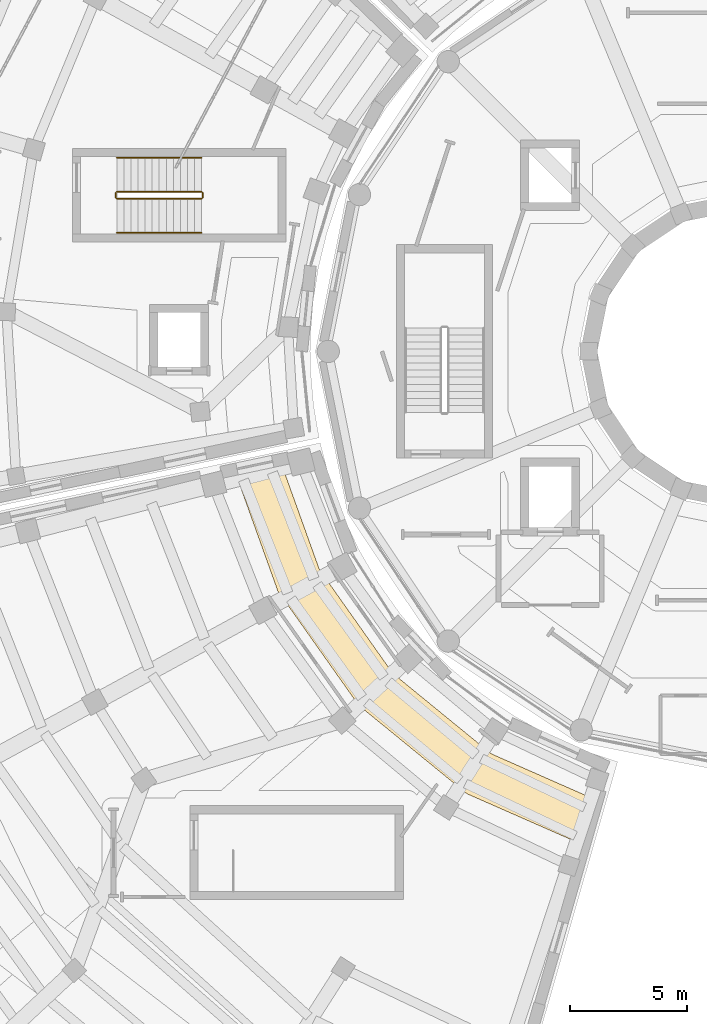
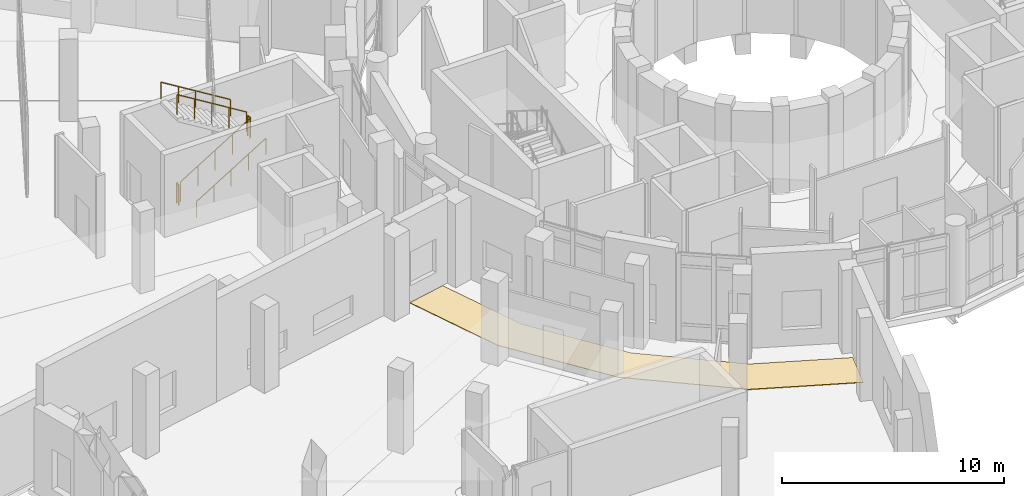
# One storey, part 76 of 89: 6 railings, 1 covering.
"""IFC4 building model written with IfcOpenShell, lengths in metres."""

from ifc_helpers import new_model, si_unit, direction, frame, origin, origin_2d, place, context, subcontext, project, spatial, polyline, circle, outline, extrude, material, layer, layer_set, type_object, element, save


model = new_model("IFC4")

# Units and contexts
model_context = context("Model", 3, precision=1e-05, world=origin(), true_north=direction((0.0, 1.0)))
body_context = subcontext(model_context, "Body", "Model", "MODEL_VIEW")
ifc_project = project(units=[si_unit("LENGTHUNIT", "METRE"), si_unit("AREAUNIT", "SQUARE_METRE"), si_unit("VOLUMEUNIT", "CUBIC_METRE"), si_unit("PLANEANGLEUNIT", "RADIAN"), si_unit("MASSUNIT", "GRAM", prefix="KILO")], contexts=[model_context])

# Site, building, storey
site_placement = place(None, origin())
site = spatial("IfcSite", under=ifc_project, at=site_placement, CompositionType="ELEMENT")
building_placement = place(site_placement, origin())
building = spatial("IfcBuilding", under=site, at=building_placement, Name="Soyqirgoq Riverine Aquarium", CompositionType="ELEMENT")
storey_placement = place(building_placement, frame((0.0, 0.0, 5.39990234375)))
storey = spatial("IfcBuildingStorey", under=building, at=storey_placement, Name="L02", CompositionType="ELEMENT", Elevation=5.39990234375)

# Railings
ifc_material_1 = material(Name="Brushed stainless steel 316L tubular handrail", Category="steel")
railing_type_1 = type_object("IfcRailingType", Name="StairPitchHandrail_920", PredefinedType="HANDRAIL", material=ifc_material_1)
railing_1_placement = place(storey_placement, frame((29.550048828125, 62.050048828125, 0.184814453125)))
element("IfcRailing", 1, at=railing_1_placement, inside=storey, type_object=railing_type_1, Name="L02 ST-3 stair handrail 1", PredefinedType="HANDRAIL", context=body_context, shape_type="SweptSolid", body=[
    extrude(circle(Radius=0.02392578125, at=origin_2d()), frame((0.0, 0.0, 0.89990234375), z_axis=(0.851654350407, 0.0, 0.524103870844), x_axis=(0.0, 1.0, 0.0)), (0.0, 0.0, 1.0), 4.226806640625),
    extrude(circle(Radius=0.02099609375, at=origin_2d()), origin(), (0.0, 0.0, 1.0), 0.875732421875),
    extrude(circle(Radius=0.02099609375, at=origin_2d()), frame((0.89990234375, 0.0, 0.5537109375)), (0.0, 0.0, 1.0), 0.875732421875),
    extrude(circle(Radius=0.02099609375, at=origin_2d()), frame((1.7998046875, 0.0, 1.107666015625)), (0.0, 0.0, 1.0), 0.875732421875),
    extrude(circle(Radius=0.02099609375, at=origin_2d()), frame((2.699951171875, 0.0, 1.66162109375)), (0.0, 0.0, 1.0), 0.875732421875),
    extrude(circle(Radius=0.02099609375, at=origin_2d()), frame((3.599853515625, 0.0, 2.21533203125)), (0.0, 0.0, 1.0), 0.875732421875),
])
railing_2_placement = place(storey_placement, frame((33.14990234375, 65.25, 2.584716796875)))
element("IfcRailing", 2, at=railing_2_placement, inside=storey, type_object=railing_type_1, Name="L02 ST-3 stair handrail 2", PredefinedType="HANDRAIL", context=body_context, shape_type="SweptSolid", body=[
    extrude(circle(Radius=0.02392578125, at=origin_2d()), frame((0.0, 0.0, 0.89990234375), z_axis=(-0.851654350407, 0.0, 0.524103870844), x_axis=(0.0, -1.0, 0.0)), (0.0, 0.0, 1.0), 4.226806640625),
    extrude(circle(Radius=0.02099609375, at=origin_2d()), origin(), (0.0, 0.0, 1.0), 0.875732421875),
    extrude(circle(Radius=0.02099609375, at=origin_2d()), frame((-0.89990234375, 0.0, 0.5537109375)), (0.0, 0.0, 1.0), 0.875732421875),
    extrude(circle(Radius=0.02099609375, at=origin_2d()), frame((-1.7998046875, 0.0, 1.107666015625)), (0.0, 0.0, 1.0), 0.875732421875),
    extrude(circle(Radius=0.02099609375, at=origin_2d()), frame((-2.699951171875, 0.0, 1.66162109375)), (0.0, 0.0, 1.0), 0.875732421875),
    extrude(circle(Radius=0.02099609375, at=origin_2d()), frame((-3.599853515625, 0.0, 2.21533203125)), (0.0, 0.0, 1.0), 0.875732421875),
])
ifc_material_2 = material(Name="Painted steel infill stair-well guardrail", Category="steel")
railing_type_2 = type_object("IfcRailingType", Name="StairWellGuard_1120", PredefinedType="GUARDRAIL", material=ifc_material_2)
railing_3_placement = place(storey_placement, frame((29.550048828125, 63.5, 0.184814453125)))
element("IfcRailing", 3, at=railing_3_placement, inside=storey, type_object=railing_type_2, Name="L02 ST-3 stair guard 1", PredefinedType="GUARDRAIL", context=body_context, shape_type="SweptSolid", body=[
    extrude(circle(Radius=0.02392578125, at=origin_2d()), frame((0.0, 0.0, 1.09619140625), z_axis=(0.851654350407, 0.0, 0.524103870844), x_axis=(0.0, 1.0, 0.0)), (0.0, 0.0, 1.0), 4.226806640625),
    extrude(circle(Radius=0.02099609375, at=origin_2d()), origin(), (0.0, 0.0, 1.0), 1.072021484375),
    extrude(circle(Radius=0.02099609375, at=origin_2d()), frame((0.89990234375, 0.0, 0.5537109375)), (0.0, 0.0, 1.0), 1.072021484375),
    extrude(circle(Radius=0.02099609375, at=origin_2d()), frame((1.7998046875, 0.0, 1.107666015625)), (0.0, 0.0, 1.0), 1.072021484375),
    extrude(circle(Radius=0.02099609375, at=origin_2d()), frame((2.699951171875, 0.0, 1.66162109375)), (0.0, 0.0, 1.0), 1.072021484375),
    extrude(circle(Radius=0.02099609375, at=origin_2d()), frame((3.599853515625, 0.0, 2.21533203125)), (0.0, 0.0, 1.0), 1.072021484375),
])
railing_4_placement = place(storey_placement, frame((33.199951171875, 63.550048828125, 2.400146484375)))
element("IfcRailing", 4, at=railing_4_placement, inside=storey, type_object=railing_type_2, Name="L02 ST-3 stair guard 2", PredefinedType="GUARDRAIL", context=body_context, shape_type="SweptSolid", body=[
    extrude(circle(Radius=0.02392578125, at=origin_2d()), frame((0.0, 0.0, 1.09619140625), z_axis=(0.0, 1.0, 0.0), x_axis=(-1.0, 0.0, 0.0)), (0.0, 0.0, 1.0), 0.199951171875),
    extrude(circle(Radius=0.02099609375, at=origin_2d()), origin(), (0.0, 0.0, 1.0), 1.072021484375),
    extrude(circle(Radius=0.02099609375, at=origin_2d()), frame((0.0, 0.199951171875, 0.0)), (0.0, 0.0, 1.0), 1.072021484375),
])
railing_5_placement = place(storey_placement, frame((33.14990234375, 63.800048828125, 2.584716796875)))
element("IfcRailing", 5, at=railing_5_placement, inside=storey, type_object=railing_type_2, Name="L02 ST-3 stair guard 3", PredefinedType="GUARDRAIL", context=body_context, shape_type="SweptSolid", body=[
    extrude(circle(Radius=0.02392578125, at=origin_2d()), frame((0.0, 0.0, 1.09619140625), z_axis=(-0.851654350407, 0.0, 0.524103870844), x_axis=(0.0, -1.0, 0.0)), (0.0, 0.0, 1.0), 4.226806640625),
    extrude(circle(Radius=0.02099609375, at=origin_2d()), origin(), (0.0, 0.0, 1.0), 1.072021484375),
    extrude(circle(Radius=0.02099609375, at=origin_2d()), frame((-0.89990234375, 0.0, 0.5537109375)), (0.0, 0.0, 1.0), 1.072021484375),
    extrude(circle(Radius=0.02099609375, at=origin_2d()), frame((-1.7998046875, 0.0, 1.107666015625)), (0.0, 0.0, 1.0), 1.072021484375),
    extrude(circle(Radius=0.02099609375, at=origin_2d()), frame((-2.699951171875, 0.0, 1.66162109375)), (0.0, 0.0, 1.0), 1.072021484375),
    extrude(circle(Radius=0.02099609375, at=origin_2d()), frame((-3.599853515625, 0.0, 2.21533203125)), (0.0, 0.0, 1.0), 1.072021484375),
])
railing_6_placement = place(storey_placement, frame((29.5, 63.550048828125, 0.0)))
element("IfcRailing", 6, at=railing_6_placement, inside=storey, type_object=railing_type_2, Name="L02 ST-3 stair guard 4", PredefinedType="GUARDRAIL", context=body_context, shape_type="SweptSolid", body=[
    extrude(circle(Radius=0.02392578125, at=origin_2d()), frame((0.0, 0.0, 1.09619140625), z_axis=(0.0, 1.0, 0.0), x_axis=(-1.0, 0.0, 0.0)), (0.0, 0.0, 1.0), 0.199951171875),
    extrude(circle(Radius=0.02099609375, at=origin_2d()), origin(), (0.0, 0.0, 1.0), 1.072021484375),
    extrude(circle(Radius=0.02099609375, at=origin_2d()), frame((0.0, 0.199951171875, 0.0)), (0.0, 0.0, 1.0), 1.072021484375),
])

# Covering
ifc_material_3 = material(Name="Polished Chirchiq river-pebble terrazzo flooring", Category="concrete")
ifc_layer = layer(ifc_material_3, 0.030029296875)
ifc_layer_set = layer_set([ifc_layer], Name="Polished Chirchiq river-pebble terrazzo flooring")
covering_type = type_object("IfcCoveringType", Name="TerrazzoFloorFinish_30", PredefinedType="FLOORING", material=ifc_layer_set)
covering_placement = place(storey_placement, origin())
element("IfcCovering", 7, at=covering_placement, inside=storey, type_object=covering_type, Name="V2 Gallery Circulation Corridor Floor Finish", PredefinedType="FLOORING", context=body_context, shape_type="SweptSolid", body=[
    extrude(outline(polyline([(49.20703125, 36.069091796875), (44.455078125, 38.159912109375), (39.840087890625, 41.930908203125), (36.40087890625, 46.797119140625), (34.64599609375, 51.68408203125), (36.593994140625, 52.097900390625), (38.14697265625, 47.77490234375), (38.162109375, 47.737060546875), (38.180908203125, 47.700927734375), (38.202880859375, 47.6669921875), (41.260986328125, 43.339111328125), (41.285888671875, 43.306884765625), (41.31396484375, 43.277099609375), (41.343994140625, 43.25), (45.447998046875, 39.89697265625), (45.48095703125, 39.873046875), (45.514892578125, 39.85205078125), (45.552001953125, 39.833984375), (49.756103515625, 37.98388671875), (49.20703125, 36.069091796875)])), origin(), (0.0, 0.0, 1.0), 0.030029296875),
])

save(model, "model.ifc")
